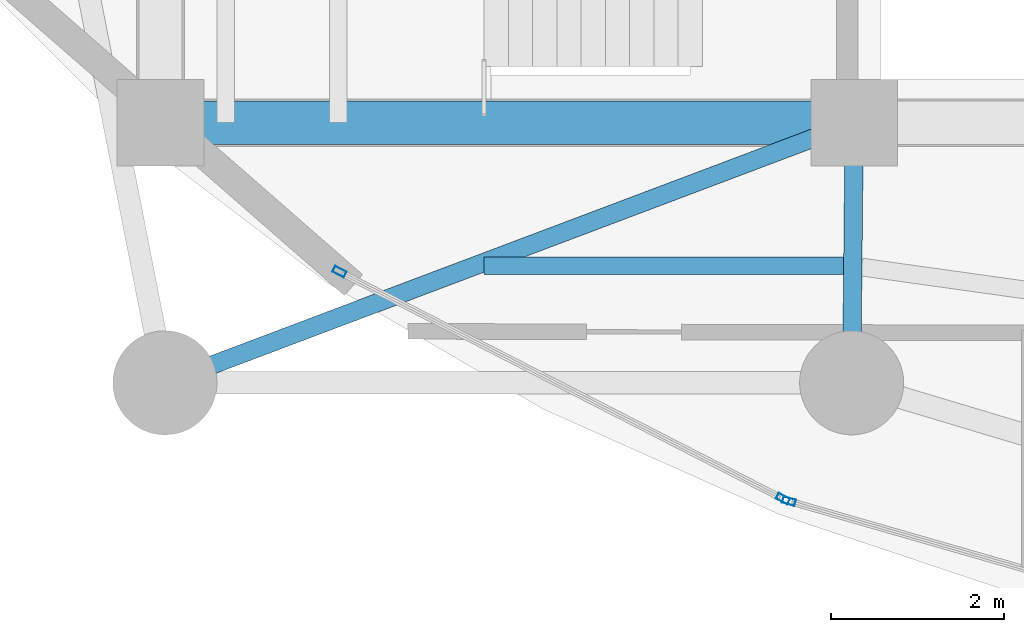
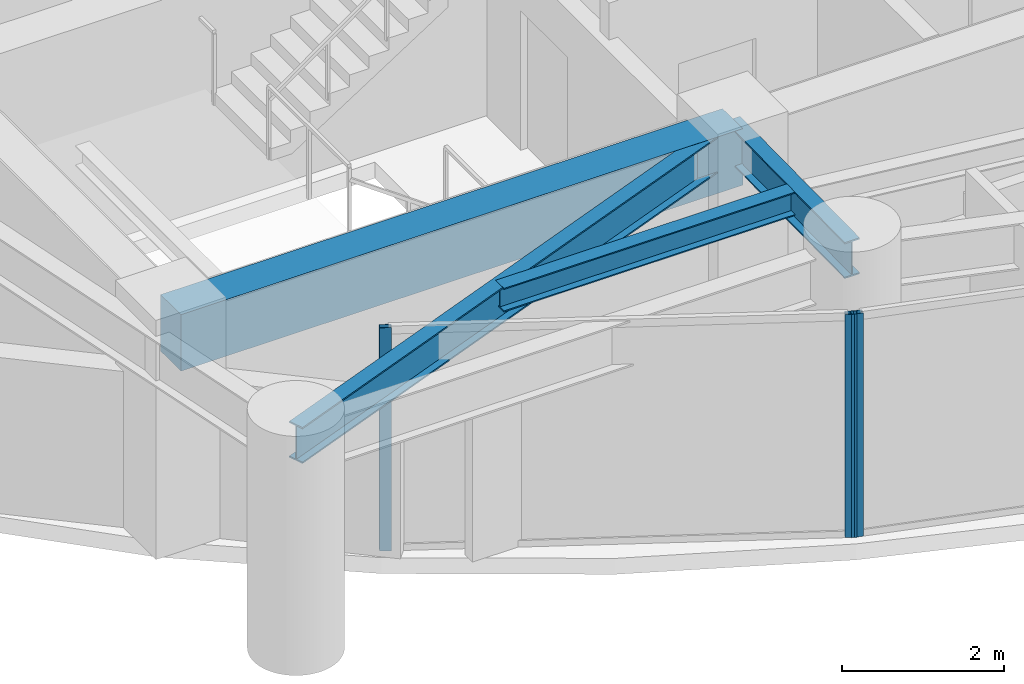
# One storey, part 2 of 28: 4 beams, 3 members, 2 elements without a shape of their own.
"""IFC4 building model written with IfcOpenShell, lengths in metres."""

from ifc_helpers import new_model, si_unit, direction, frame, origin, origin_2d, place, context, subcontext, project, spatial, rectangle, hollow_rectangle, i_section, extrude, material, layer, layer_set, material_profile, profile_set, type_object, element, aggregate, save


model = new_model("IFC4")

# Units and contexts
model_context = context("Model", 3, precision=1e-05, world=origin(), true_north=direction((0.0, 1.0)))
body_context = subcontext(model_context, "Body", "Model", "MODEL_VIEW")
ifc_project = project(units=[si_unit("LENGTHUNIT", "METRE"), si_unit("AREAUNIT", "SQUARE_METRE"), si_unit("VOLUMEUNIT", "CUBIC_METRE"), si_unit("PLANEANGLEUNIT", "RADIAN"), si_unit("MASSUNIT", "GRAM", prefix="KILO")], contexts=[model_context])

# Site, building, storey
site_placement = place(None, origin())
site = spatial("IfcSite", under=ifc_project, at=site_placement, CompositionType="ELEMENT")
building_placement = place(site_placement, origin())
building = spatial("IfcBuilding", under=site, at=building_placement, Name="Kazevale Care Tower and Concert Hall", CompositionType="ELEMENT")
storey_placement = place(building_placement, frame((0.0, 0.0, 109.800048828125)))
storey = spatial("IfcBuildingStorey", under=building, at=storey_placement, Name="L28", CompositionType="ELEMENT", Elevation=109.800048828125)

# Curtain wall, member
ifc_material_1 = material(Name="Aluminium 6063-T6 and Low-E Glass", Category="aluminium")
ifc_layer = layer(ifc_material_1, 0.179931640625)
ifc_layer_set = layer_set([ifc_layer], Name="Aluminium 6063-T6 and Low-E Glass")
curtain_wall_type = type_object("IfcCurtainWallType", Name="Sheltered Concave Balcony Curtain Wall CW-5", PredefinedType="NOTDEFINED", material=ifc_layer_set)
curtain_wall_1_placement = place(storey_placement, origin())
curtain_wall_1 = element("IfcCurtainWall", 1, at=curtain_wall_1_placement, inside=storey, type_object=curtain_wall_type, Name="cw:L28:f08", PredefinedType="NOTDEFINED")
ifc_material_2 = material(Name="Aluminium 6063-T6", Category="aluminium")
ifc_material_profile_1 = material_profile(ifc_material_2, hollow_rectangle(XDim=0.074951171875, YDim=0.14990234375, WallThickness=0.00390625, at=origin_2d()), Name="ALU75x150x4")
ifc_profile_set_1 = profile_set([ifc_material_profile_1], Name="Aluminium 6063-T6")
member_type = type_object("IfcMemberType", Name="CW-5 Mullion ALU75x150x4", PredefinedType="MULLION", material=ifc_profile_set_1)
member_1_placement = place(storey_placement, frame((29.2470703125, 19.234619140625, 0.0), z_axis=(0.0, 0.0, 1.0), x_axis=(-0.276290733172, -0.961074102639, 0.0)))
member_1 = element("IfcMember", 2, at=member_1_placement, type_object=member_type, Name="CW-5 mullion 2", PredefinedType="MULLION", context=body_context, shape_type="SweptSolid", body=[
    extrude(hollow_rectangle(XDim=0.074951171875, YDim=0.14990234375, WallThickness=0.00390625, at=origin_2d()), origin(), (0.0, 0.0, 1.0), 3.35986328125),
])
aggregate(curtain_wall_1, [member_1])

# Curtain wall, members
curtain_wall_2_placement = place(storey_placement, origin())
curtain_wall_2 = element("IfcCurtainWall", 3, at=curtain_wall_2_placement, inside=storey, type_object=curtain_wall_type, Name="cw:L28:f09", PredefinedType="NOTDEFINED")
member_2_placement = place(storey_placement, frame((29.177734375, 19.26220703125, 0.0), z_axis=(0.0, 0.0, 1.0), x_axis=(-0.455713236575, -0.890126646051, 0.0)))
member_2 = element("IfcMember", 4, at=member_2_placement, type_object=member_type, Name="CW-5 mullion 1", PredefinedType="MULLION", context=body_context, shape_type="SweptSolid", body=[
    extrude(hollow_rectangle(XDim=0.074951171875, YDim=0.14990234375, WallThickness=0.00390625, at=origin_2d()), origin(), (0.0, 0.0, 1.0), 3.35986328125),
])
member_3_placement = place(storey_placement, frame((24.0625, 21.880859375, 0.0), z_axis=(0.0, 0.0, 1.0), x_axis=(-0.455713236575, -0.890126646051, 0.0)))
member_3 = element("IfcMember", 5, at=member_3_placement, type_object=member_type, Name="CW-5 mullion 2", PredefinedType="MULLION", context=body_context, shape_type="SweptSolid", body=[
    extrude(hollow_rectangle(XDim=0.074951171875, YDim=0.14990234375, WallThickness=0.00390625, at=origin_2d()), origin(), (0.0, 0.0, 1.0), 3.35986328125),
])
aggregate(curtain_wall_2, [member_2, member_3])

# Beams
ifc_material_3 = material(Name="Concrete C60", Category="concrete")
ifc_material_profile_2 = material_profile(ifc_material_3, rectangle(XDim=0.5, YDim=0.85009765625, at=origin_2d()), Name="RC-B500x850")
ifc_profile_set_2 = profile_set([ifc_material_profile_2], Name="Concrete C60")
beam_type_1 = type_object("IfcBeamType", Name="Core Coupling Beam RC500x850", PredefinedType="LINTEL", material=ifc_profile_set_2)
beam_1_placement = place(storey_placement, frame((22.0, 23.60009765625, 2.93505859375), z_axis=(1.0, 0.0, 0.0), x_axis=(0.0, 1.0, 0.0)))
element("IfcBeam", 6, at=beam_1_placement, inside=storey, type_object=beam_type_1, Name="beam:L28:coretie:1", PredefinedType="LINTEL", context=body_context, shape_type="SweptSolid", body=[
    extrude(rectangle(XDim=0.5, YDim=0.85009765625, at=origin_2d()), origin(), (0.0, 0.0, 1.0), 8.0),
])
ifc_material_4 = material(Name="Steel ASTM A572 Gr 50", Category="steel")
ifc_material_profile_3 = material_profile(ifc_material_4, i_section(OverallWidth=0.2119140625, OverallDepth=0.5439453125, WebThickness=0.01318359375, FlangeThickness=0.021240234375, at=origin_2d()), Name="W530x123")
ifc_profile_set_3 = profile_set([ifc_material_profile_3], Name="Steel ASTM A572 Gr 50")
beam_type_2 = type_object("IfcBeamType", Name="Radial Floor Girder W530x123", PredefinedType="BEAM", material=ifc_profile_set_3)
beam_2_placement = place(storey_placement, frame((30.0, 23.60009765625, 3.087890625), z_axis=(-0.935601002663, -0.353059150592, 0.0), x_axis=(0.353059150592, -0.935601002663, 0.0)))
element("IfcBeam", 7, at=beam_2_placement, inside=storey, type_object=beam_type_2, Name="beam:L28:rad:10", PredefinedType="BEAM", context=body_context, shape_type="SweptSolid", body=[
    extrude(i_section(OverallWidth=0.2119140625, OverallDepth=0.5439453125, WebThickness=0.01318359375, FlangeThickness=0.021240234375, at=origin_2d()), origin(), (0.0, 0.0, 1.0), 8.4970703125),
])
beam_3_placement = place(storey_placement, frame((30.0, 23.60009765625, 3.087890625), z_axis=(-0.010009264196, -0.99994990606, 0.0), x_axis=(0.99994990606, -0.010009264196, 0.0)))
element("IfcBeam", 8, at=beam_3_placement, inside=storey, type_object=beam_type_2, Name="beam:L28:rad:11", PredefinedType="BEAM", context=body_context, shape_type="SweptSolid", body=[
    extrude(i_section(OverallWidth=0.2119140625, OverallDepth=0.5439453125, WebThickness=0.01318359375, FlangeThickness=0.021240234375, at=origin_2d()), origin(), (0.0, 0.0, 1.0), 3.000244140625),
])
ifc_material_profile_4 = material_profile(ifc_material_4, i_section(OverallWidth=0.205078125, OverallDepth=0.35400390625, WebThickness=0.009521484375, FlangeThickness=0.016845703125, at=origin_2d()), Name="W360x79")
ifc_profile_set_4 = profile_set([ifc_material_profile_4], Name="Steel ASTM A572 Gr 50")
beam_type_3 = type_object("IfcBeamType", Name="Secondary Floor Joist W360x79", PredefinedType="JOIST", material=ifc_profile_set_4)
beam_4_placement = place(storey_placement, frame((25.73291015625, 21.949951171875, 3.182861328125), z_axis=(1.0, 0.0, 0.0), x_axis=(0.0, 1.0, 0.0)))
element("IfcBeam", 9, at=beam_4_placement, inside=storey, type_object=beam_type_3, Name="beam:L28:joist:10", PredefinedType="JOIST", context=body_context, shape_type="SweptSolid", body=[
    extrude(i_section(OverallWidth=0.205078125, OverallDepth=0.35400390625, WebThickness=0.009521484375, FlangeThickness=0.016845703125, at=origin_2d()), origin(), (0.0, 0.0, 1.0), 4.14501953125),
])

save(model, "model.ifc")
